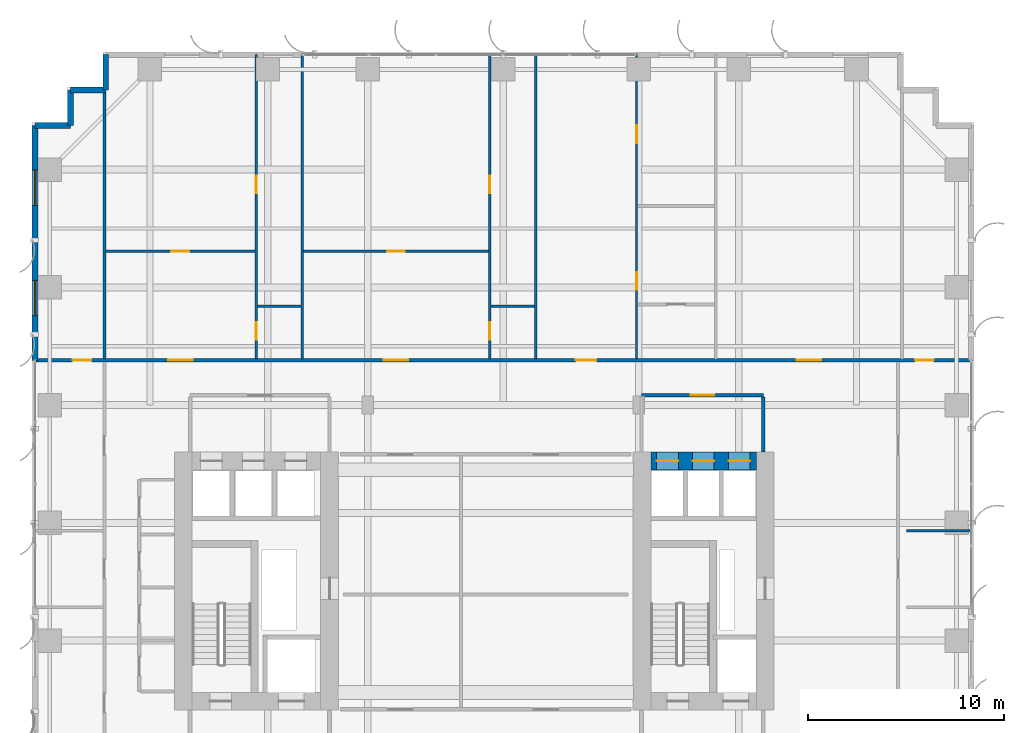
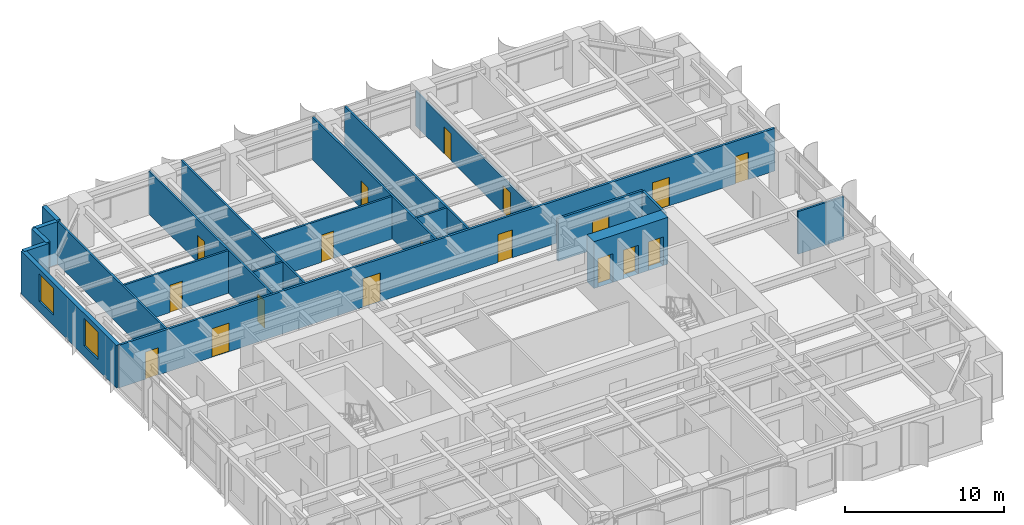
# One storey, part 18 of 23: 20 walls, 18 doors, 2 windows, 20 openings.
"""IFC4 building model written with IfcOpenShell, lengths in metres."""

from ifc_helpers import new_model, si_unit, direction, frame, frame_2d, origin, place, context, subcontext, project, spatial, rectangle, extrude, source, transform, mapped, material, layer, layer_set, type_object, element, fill, save


model = new_model("IFC4")

# Units and contexts
model_context = context("Model", 3, precision=1e-05, world=origin(), true_north=direction((0.0, 1.0)))
body_context = subcontext(model_context, "Body", "Model", "MODEL_VIEW")
ifc_project = project(units=[si_unit("LENGTHUNIT", "METRE"), si_unit("AREAUNIT", "SQUARE_METRE"), si_unit("VOLUMEUNIT", "CUBIC_METRE"), si_unit("PLANEANGLEUNIT", "RADIAN"), si_unit("MASSUNIT", "GRAM", prefix="KILO")], contexts=[model_context])

# Site, building, storey
site_placement = place(None, origin())
site = spatial("IfcSite", under=ifc_project, at=site_placement, CompositionType="ELEMENT")
building_placement = place(site_placement, origin())
building = spatial("IfcBuilding", under=site, at=building_placement, Name="Khoralis Quay Care Tower", CompositionType="ELEMENT")
storey_placement = place(building_placement, frame((0.0, 0.0, 72.89990234375)))
storey = spatial("IfcBuildingStorey", under=building, at=storey_placement, Name="L19", CompositionType="ELEMENT", Elevation=72.89990234375)

# Wall, openings, doors
ifc_material_1 = material(Name="Concrete C80/95", Category="concrete")
ifc_layer_1 = layer(ifc_material_1, 0.89990234375)
ifc_layer_set_1 = layer_set([ifc_layer_1], Name="Concrete C80/95")
wall_type_1 = type_object("IfcWallType", Name="WL-CORE-900", PredefinedType="SHEAR", material=ifc_layer_set_1)
wall_1_placement = place(storey_placement, frame((31.52001953125, 27.14990234375, 0.0), z_axis=(0.0, 0.0, 1.0), x_axis=(1.0, 0.0, 0.0)))
wall_1 = element("IfcWall", 1, at=wall_1_placement, inside=storey, type_object=wall_type_1, Name="L19 ECORE North Shear Wall", PredefinedType="SHEAR", context=body_context, shape_type="SweptSolid", body=[
    extrude(rectangle(XDim=5.3798828125, YDim=0.89990234375, at=frame_2d((2.68994140625, 0.0))), origin(), (0.0, 0.0, 1.0), 3.60009765625),
])
opening_1_placement = place(wall_1_placement, frame((0.300048828125, 0.0, 0.0)))
opening_1 = element("IfcOpeningElement", 2, at=opening_1_placement, cuts=wall_1, Name="Opening LD1", PredefinedType="OPENING", context=body_context, shape_type="SweptSolid", body=[
    extrude(rectangle(XDim=1.10009765625, YDim=2.199951171875, at=frame_2d((0.550048828125, 1.10009765625))), frame((0.0, 0.4599609375, 0.0), z_axis=(0.0, -1.0, 0.0), x_axis=(1.0, 0.0, 0.0)), (0.0, 0.0, 1.0), 0.919921875),
])
opening_2_placement = place(wall_1_placement, frame((2.1298828125, 0.0, 0.0)))
opening_2 = element("IfcOpeningElement", 3, at=opening_2_placement, cuts=wall_1, Name="Opening LD1", PredefinedType="OPENING", context=body_context, shape_type="SweptSolid", body=[
    extrude(rectangle(XDim=1.10009765625, YDim=2.199951171875, at=frame_2d((0.550048828125, 1.10009765625))), frame((0.0, 0.4599609375, 0.0), z_axis=(0.0, -1.0, 0.0), x_axis=(1.0, 0.0, 0.0)), (0.0, 0.0, 1.0), 0.919921875),
])
opening_3_placement = place(wall_1_placement, frame((3.9599609375, 0.0, 0.0)))
opening_3 = element("IfcOpeningElement", 4, at=opening_3_placement, cuts=wall_1, Name="Opening LD1", PredefinedType="OPENING", context=body_context, shape_type="SweptSolid", body=[
    extrude(rectangle(XDim=1.10009765625, YDim=2.199951171875, at=frame_2d((0.550048828125, 1.10009765625))), frame((0.0, 0.4599609375, 0.0), z_axis=(0.0, -1.0, 0.0), x_axis=(1.0, 0.0, 0.0)), (0.0, 0.0, 1.0), 0.919921875),
])
ifc_material_2 = material(Name="Brushed stainless steel", Category="steel")
door_type_1 = type_object("IfcDoorType", Name="DR-LIFT-1100X2200", OperationType="SLIDING_TO_LEFT", PredefinedType="DOOR", material=ifc_material_2)
shared_shape_1 = source(origin(), body_context, "Body", "SweptSolid", [
    extrude(rectangle(XDim=1.10009765625, YDim=2.199951171875, at=frame_2d((0.550048828125, 1.10009765625))), frame((0.0, 0.02490234375, 0.0), z_axis=(0.0, -1.0, 0.0), x_axis=(1.0, 0.0, 0.0)), (0.0, 0.0, 1.0), 0.050048828125),
])
door_1_placement = place(opening_1_placement, origin())
door_1 = element("IfcDoor", 5, at=door_1_placement, inside=storey, type_object=door_type_1, Name="L19 Lift PLL2 Landing Door", OperationType="SLIDING_TO_LEFT", OverallHeight=2.199951171875, OverallWidth=1.10009765625, PredefinedType="DOOR", context=body_context, shape_type="MappedRepresentation", body=[
    mapped(shared_shape_1, transform((0.0, 0.0, 0.0), scale=1.0)),
])
fill(opening_1, door_1)
door_2_placement = place(opening_2_placement, origin())
door_2 = element("IfcDoor", 6, at=door_2_placement, inside=storey, type_object=door_type_1, Name="L19 Lift PLM2 Landing Door", OperationType="SLIDING_TO_LEFT", OverallHeight=2.199951171875, OverallWidth=1.10009765625, PredefinedType="DOOR", context=body_context, shape_type="MappedRepresentation", body=[
    mapped(shared_shape_1, transform((0.0, 0.0, 0.0), scale=1.0)),
])
fill(opening_2, door_2)
door_3_placement = place(opening_3_placement, origin())
door_3 = element("IfcDoor", 7, at=door_3_placement, inside=storey, type_object=door_type_1, Name="L19 Lift PLH2 Landing Door", OperationType="SLIDING_TO_LEFT", OverallHeight=2.199951171875, OverallWidth=1.10009765625, PredefinedType="DOOR", context=body_context, shape_type="MappedRepresentation", body=[
    mapped(shared_shape_1, transform((0.0, 0.0, 0.0), scale=1.0)),
])
fill(opening_3, door_3)

# Wall, opening, door
ifc_material_3 = material(Name="Gypsum plasterboard on acoustic metal stud")
ifc_layer_2 = layer(ifc_material_3, 0.1650390625)
ifc_layer_set_2 = layer_set([ifc_layer_2], Name="Gypsum plasterboard on acoustic metal stud")
wall_type_2 = type_object("IfcWallType", Name="WL-CORR-165", PredefinedType="PARTITIONING", material=ifc_layer_set_2)
wall_2_placement = place(storey_placement, frame((31.050048828125, 30.5, 0.0), z_axis=(0.0, 0.0, 1.0), x_axis=(1.0, 0.0, 0.0)))
wall_2 = element("IfcWall", 8, at=wall_2_placement, inside=storey, type_object=wall_type_2, Name="L19 East Lift Lobby North Wall", PredefinedType="PARTITIONING", context=body_context, shape_type="SweptSolid", body=[
    extrude(rectangle(XDim=6.199951171875, YDim=0.1650390625, at=frame_2d((3.10009765625, 0.0))), origin(), (0.0, 0.0, 1.0), 3.280029296875),
])
opening_4_placement = place(wall_2_placement, frame((2.5, 0.0, 0.0)))
opening_4 = element("IfcOpeningElement", 9, at=opening_4_placement, cuts=wall_2, Name="Opening FD1", PredefinedType="OPENING", context=body_context, shape_type="SweptSolid", body=[
    extrude(rectangle(XDim=1.199951171875, YDim=2.199951171875, at=frame_2d((0.60009765625, 1.10009765625))), frame((0.0, 0.092529296875, 0.0), z_axis=(0.0, -1.0, 0.0), x_axis=(1.0, 0.0, 0.0)), (0.0, 0.0, 1.0), 0.18505859375),
])
ifc_material_4 = material(Name="Fire-rated painted steel", Category="steel")
door_type_2 = type_object("IfcDoorType", Name="DR-FFL-1200X2200", OperationType="NOTDEFINED", PredefinedType="DOOR", material=ifc_material_4)
shared_shape_2 = source(origin(), body_context, "Body", "SweptSolid", [
    extrude(rectangle(XDim=1.199951171875, YDim=2.199951171875, at=frame_2d((0.60009765625, 1.10009765625))), frame((0.0, 0.02490234375, 0.0), z_axis=(0.0, -1.0, 0.0), x_axis=(1.0, 0.0, 0.0)), (0.0, 0.0, 1.0), 0.050048828125),
])
door_4_placement = place(opening_4_placement, origin())
door_4 = element("IfcDoor", 10, at=door_4_placement, inside=storey, type_object=door_type_2, Name="L19 East Lift Lobby Double Door", OperationType="DOUBLE_DOOR_SINGLE_SWING", OverallHeight=2.199951171875, OverallWidth=1.199951171875, PredefinedType="DOOR", context=body_context, shape_type="MappedRepresentation", body=[
    mapped(shared_shape_2, transform((0.0, 0.0, 0.0), scale=1.0)),
])
fill(opening_4, door_4)

# Wall
wall_3_placement = place(storey_placement, frame((37.25, 27.6201171875, 0.0), z_axis=(0.0, 0.0, 1.0), x_axis=(0.0, 1.0, 0.0)))
element("IfcWall", 11, at=wall_3_placement, inside=storey, type_object=wall_type_2, Name="L19 East Lift Lobby East Wall", PredefinedType="PARTITIONING", context=body_context, shape_type="SweptSolid", body=[
    extrude(rectangle(XDim=2.802490234375, YDim=0.1650390625, at=frame_2d((1.4013671875, 0.0))), origin(), (0.0, 0.0, 1.0), 3.280029296875),
])

# Wall, openings, doors
wall_4_placement = place(storey_placement, frame((0.14501953125, 32.280029296875, 0.0), z_axis=(0.0, 0.0, 1.0), x_axis=(1.0, 0.0, 0.0)))
wall_4 = element("IfcWall", 12, at=wall_4_placement, inside=storey, type_object=wall_type_2, Name="L19 North Main Corridor Wall", PredefinedType="PARTITIONING", context=body_context, shape_type="SweptSolid", body=[
    extrude(rectangle(XDim=47.7099609375, YDim=0.1650390625, at=frame_2d((23.85498046875, 0.0))), origin(), (0.0, 0.0, 1.0), 3.280029296875),
])
opening_5_placement = place(wall_4_placement, frame((6.77490234375, 0.0, 0.0)))
opening_5 = element("IfcOpeningElement", 13, at=opening_5_placement, cuts=wall_4, Name="Opening CD1", PredefinedType="OPENING", context=body_context, shape_type="SweptSolid", body=[
    extrude(rectangle(XDim=1.25, YDim=2.199951171875, at=frame_2d((0.625, 1.10009765625))), frame((0.0, 0.092529296875, 0.0), z_axis=(0.0, -1.0, 0.0), x_axis=(1.0, 0.0, 0.0)), (0.0, 0.0, 1.0), 0.18505859375),
])
opening_6_placement = place(wall_4_placement, frame((17.764892578125, 0.0, 0.0)))
opening_6 = element("IfcOpeningElement", 14, at=opening_6_placement, cuts=wall_4, Name="Opening CD1", PredefinedType="OPENING", context=body_context, shape_type="SweptSolid", body=[
    extrude(rectangle(XDim=1.25, YDim=2.199951171875, at=frame_2d((0.625, 1.10009765625))), frame((0.0, 0.092529296875, 0.0), z_axis=(0.0, -1.0, 0.0), x_axis=(1.0, 0.0, 0.0)), (0.0, 0.0, 1.0), 0.18505859375),
])
opening_7_placement = place(wall_4_placement, frame((27.5576171875, 0.0, 0.0)))
opening_7 = element("IfcOpeningElement", 15, at=opening_7_placement, cuts=wall_4, Name="Opening UD1", PredefinedType="OPENING", context=body_context, shape_type="SweptSolid", body=[
    extrude(rectangle(XDim=1.050048828125, YDim=2.14990234375, at=frame_2d((0.52490234375, 1.074951171875))), frame((0.0, 0.092529296875, 0.0), z_axis=(0.0, -1.0, 0.0), x_axis=(1.0, 0.0, 0.0)), (0.0, 0.0, 1.0), 0.18505859375),
])
opening_8_placement = place(wall_4_placement, frame((38.804931640625, 0.0, 0.0)))
opening_8 = element("IfcOpeningElement", 16, at=opening_8_placement, cuts=wall_4, Name="Opening CD1", PredefinedType="OPENING", context=body_context, shape_type="SweptSolid", body=[
    extrude(rectangle(XDim=1.25, YDim=2.199951171875, at=frame_2d((0.625, 1.10009765625))), frame((0.0, 0.092529296875, 0.0), z_axis=(0.0, -1.0, 0.0), x_axis=(1.0, 0.0, 0.0)), (0.0, 0.0, 1.0), 0.18505859375),
])
opening_9_placement = place(wall_4_placement, frame((1.919921875, 0.0, 0.0)))
opening_9 = element("IfcOpeningElement", 17, at=opening_9_placement, cuts=wall_4, Name="Opening ID1", PredefinedType="OPENING", context=body_context, shape_type="SweptSolid", body=[
    extrude(rectangle(XDim=0.949951171875, YDim=2.10009765625, at=frame_2d((0.47509765625, 1.050048828125))), frame((0.0, 0.092529296875, 0.0), z_axis=(0.0, -1.0, 0.0), x_axis=(1.0, 0.0, 0.0)), (0.0, 0.0, 1.0), 0.18505859375),
])
opening_10_placement = place(wall_4_placement, frame((44.840087890625, 0.0, 0.0)))
opening_10 = element("IfcOpeningElement", 18, at=opening_10_placement, cuts=wall_4, Name="Opening ID1", PredefinedType="OPENING", context=body_context, shape_type="SweptSolid", body=[
    extrude(rectangle(XDim=0.949951171875, YDim=2.10009765625, at=frame_2d((0.47509765625, 1.050048828125))), frame((0.0, 0.092529296875, 0.0), z_axis=(0.0, -1.0, 0.0), x_axis=(1.0, 0.0, 0.0)), (0.0, 0.0, 1.0), 0.18505859375),
])
ifc_material_5 = material(Name="Acoustic hardwood timber", Category="wood")
door_type_3 = type_object("IfcDoorType", Name="DR-CARE-1250X2200", OperationType="NOTDEFINED", PredefinedType="DOOR", material=ifc_material_5)
shared_shape_3 = source(origin(), body_context, "Body", "SweptSolid", [
    extrude(rectangle(XDim=1.25, YDim=2.199951171875, at=frame_2d((0.625, 1.10009765625))), frame((0.0, 0.02490234375, 0.0), z_axis=(0.0, -1.0, 0.0), x_axis=(1.0, 0.0, 0.0)), (0.0, 0.0, 1.0), 0.050048828125),
])
door_5_placement = place(opening_5_placement, origin())
door_5 = element("IfcDoor", 19, at=door_5_placement, inside=storey, type_object=door_type_3, Name="L19 Care Suite NB0 Clinical Door", OperationType="SINGLE_SWING_LEFT", OverallHeight=2.199951171875, OverallWidth=1.25, PredefinedType="DOOR", context=body_context, shape_type="MappedRepresentation", body=[
    mapped(shared_shape_3, transform((0.0, 0.0, 0.0), scale=1.0)),
])
fill(opening_5, door_5)
door_6_placement = place(opening_6_placement, origin())
door_6 = element("IfcDoor", 20, at=door_6_placement, inside=storey, type_object=door_type_3, Name="L19 Care Suite NB1 Clinical Door", OperationType="SINGLE_SWING_RIGHT", OverallHeight=2.199951171875, OverallWidth=1.25, PredefinedType="DOOR", context=body_context, shape_type="MappedRepresentation", body=[
    mapped(shared_shape_3, transform((0.0, 0.0, 0.0), scale=1.0)),
])
fill(opening_6, door_6)
door_7_placement = place(opening_8_placement, origin())
door_7 = element("IfcDoor", 21, at=door_7_placement, inside=storey, type_object=door_type_3, Name="L19 Physiotherapy Treatment Clinic Door", OperationType="SINGLE_SWING_RIGHT", OverallHeight=2.199951171875, OverallWidth=1.25, PredefinedType="DOOR", context=body_context, shape_type="MappedRepresentation", body=[
    mapped(shared_shape_3, transform((0.0, 0.0, 0.0), scale=1.0)),
])
fill(opening_8, door_7)
door_type_4 = type_object("IfcDoorType", Name="DR-ROOM-950X2100", OperationType="NOTDEFINED", PredefinedType="DOOR", material=ifc_material_5)
shared_shape_4 = source(origin(), body_context, "Body", "SweptSolid", [
    extrude(rectangle(XDim=0.949951171875, YDim=2.10009765625, at=frame_2d((0.47509765625, 1.050048828125))), frame((0.0, 0.02490234375, 0.0), z_axis=(0.0, -1.0, 0.0), x_axis=(1.0, 0.0, 0.0)), (0.0, 0.0, 1.0), 0.050048828125),
])
door_8_placement = place(opening_9_placement, origin())
door_8 = element("IfcDoor", 22, at=door_8_placement, inside=storey, type_object=door_type_4, Name="L19 NW Corner Door", OperationType="SINGLE_SWING_RIGHT", OverallHeight=2.10009765625, OverallWidth=0.949951171875, PredefinedType="DOOR", context=body_context, shape_type="MappedRepresentation", body=[
    mapped(shared_shape_4, transform((0.0, 0.0, 0.0), scale=1.0)),
])
fill(opening_9, door_8)
door_9_placement = place(opening_10_placement, origin())
door_9 = element("IfcDoor", 23, at=door_9_placement, inside=storey, type_object=door_type_4, Name="L19 NE Corner Door", OperationType="SINGLE_SWING_LEFT", OverallHeight=2.10009765625, OverallWidth=0.949951171875, PredefinedType="DOOR", context=body_context, shape_type="MappedRepresentation", body=[
    mapped(shared_shape_4, transform((0.0, 0.0, 0.0), scale=1.0)),
])
fill(opening_10, door_9)
door_type_5 = type_object("IfcDoorType", Name="DR-SUITE-1050X2150", OperationType="NOTDEFINED", PredefinedType="DOOR", material=ifc_material_5)
shared_shape_5 = source(origin(), body_context, "Body", "SweptSolid", [
    extrude(rectangle(XDim=1.050048828125, YDim=2.14990234375, at=frame_2d((0.52490234375, 1.074951171875))), frame((0.0, 0.02490234375, 0.0), z_axis=(0.0, -1.0, 0.0), x_axis=(1.0, 0.0, 0.0)), (0.0, 0.0, 1.0), 0.050048828125),
])
door_10_placement = place(opening_7_placement, origin())
door_10 = element("IfcDoor", 24, at=door_10_placement, inside=storey, type_object=door_type_5, Name="L19 Studio NB2 Entrance", OperationType="SINGLE_SWING_LEFT", OverallHeight=2.14990234375, OverallWidth=1.050048828125, PredefinedType="DOOR", context=body_context, shape_type="MappedRepresentation", body=[
    mapped(shared_shape_5, transform((0.0, 0.0, 0.0), scale=1.0)),
])
fill(opening_7, door_10)

# Walls
ifc_material_6 = material(Name="Precast concrete C45/55", Category="concrete")
ifc_layer_3 = layer(ifc_material_6, 0.300048828125)
ifc_layer_set_3 = layer_set([ifc_layer_3], Name="Precast concrete C45/55")
wall_type_3 = type_object("IfcWallType", Name="WL-EXT-REF-300", PredefinedType="SOLIDWALL", material=ifc_layer_set_3)
for number, where, z_axis, x_axis, name in (
    (25, (3.75, 47.85009765625, 0.0), (0.0, 0.0, 1.0), (0.0, -1.0, 0.0), "L19 External Facade Wall WL-EXT-L19-P1-C11"),
    (26, (3.75, 46.050048828125, 0.0), (0.0, 0.0, 1.0), (-1.0, 0.0, 0.0), "L19 External Facade Wall WL-EXT-L19-P1-C12"),
    (27, (1.949951171875, 46.050048828125, 0.0), (0.0, 0.0, 1.0), (0.0, -1.0, 0.0), "L19 External Facade Wall WL-EXT-L19-P1-C13"),
    (28, (1.949951171875, 44.25, 0.0), (0.0, 0.0, 1.0), (-1.0, 0.0, 0.0), "L19 External Facade Wall WL-EXT-L19-P1-C14"),
):
    element("IfcWall", number, at=place(storey_placement, frame(where, z_axis=z_axis, x_axis=x_axis)), inside=storey, type_object=wall_type_3, Name=name, PredefinedType="SOLIDWALL", context=body_context, shape_type="SweptSolid", body=[
        extrude(rectangle(XDim=1.800048828125, YDim=0.300048828125, at=frame_2d((0.89990234375, 0.0))), origin(), (0.0, 0.0, 1.0), 3.280029296875),
    ])

# Wall, openings, windows
wall_5_placement = place(storey_placement, frame((0.14990234375, 44.25, 0.0), z_axis=(0.0, 0.0, 1.0), x_axis=(0.0, -1.0, 0.0)))
wall_5 = element("IfcWall", 29, at=wall_5_placement, inside=storey, type_object=wall_type_3, Name="L19 External Facade Wall WL-EXT-L19-P1-E15A", PredefinedType="SOLIDWALL", context=body_context, shape_type="SweptSolid", body=[
    extrude(rectangle(XDim=11.969970703125, YDim=0.300048828125, at=frame_2d((5.98486328125, 0.0))), origin(), (0.0, 0.0, 1.0), 3.280029296875),
])
opening_11_placement = place(wall_5_placement, frame((2.2724609375, 0.0, 0.800048828125)))
opening_11 = element("IfcOpeningElement", 30, at=opening_11_placement, cuts=wall_5, Name="Opening W2", PredefinedType="OPENING", context=body_context, shape_type="SweptSolid", body=[
    extrude(rectangle(XDim=1.800048828125, YDim=2.10009765625, at=frame_2d((0.89990234375, 1.050048828125))), frame((0.0, 0.16015625, 0.0), z_axis=(0.0, -1.0, 0.0), x_axis=(1.0, 0.0, 0.0)), (0.0, 0.0, 1.0), 0.320068359375),
])
opening_12_placement = place(wall_5_placement, frame((7.8974609375, 0.0, 0.800048828125)))
opening_12 = element("IfcOpeningElement", 31, at=opening_12_placement, cuts=wall_5, Name="Opening W2", PredefinedType="OPENING", context=body_context, shape_type="SweptSolid", body=[
    extrude(rectangle(XDim=1.800048828125, YDim=2.10009765625, at=frame_2d((0.89990234375, 1.050048828125))), frame((0.0, 0.16015625, 0.0), z_axis=(0.0, -1.0, 0.0), x_axis=(1.0, 0.0, 0.0)), (0.0, 0.0, 1.0), 0.320068359375),
])
ifc_material_7 = material(Name="Low-E solar-control double glazing", Category="glass")
window_type = type_object("IfcWindowType", Name="WN-POD-1800X2100", PartitioningType="SINGLE_PANEL", PredefinedType="WINDOW", material=ifc_material_7)
shared_shape_6 = source(origin(), body_context, "Body", "SweptSolid", [
    extrude(rectangle(XDim=1.800048828125, YDim=2.10009765625, at=frame_2d((0.89990234375, 1.050048828125))), frame((0.0, 0.030029296875, 0.0), z_axis=(0.0, -1.0, 0.0), x_axis=(1.0, 0.0, 0.0)), (0.0, 0.0, 1.0), 0.06005859375),
])
window_1_placement = place(opening_11_placement, origin())
window_1 = element("IfcWindow", 32, at=window_1_placement, inside=storey, type_object=window_type, Name="WN-L19-P1-E15A Facade Window 01", OverallHeight=2.10009765625, OverallWidth=1.800048828125, PartitioningType="SINGLE_PANEL", PredefinedType="WINDOW", context=body_context, shape_type="MappedRepresentation", body=[
    mapped(shared_shape_6, transform((0.0, 0.0, 0.0), scale=1.0)),
])
fill(opening_11, window_1)
window_2_placement = place(opening_12_placement, origin())
window_2 = element("IfcWindow", 33, at=window_2_placement, inside=storey, type_object=window_type, Name="WN-L19-P1-E15A Facade Window 02", OverallHeight=2.10009765625, OverallWidth=1.800048828125, PartitioningType="SINGLE_PANEL", PredefinedType="WINDOW", context=body_context, shape_type="MappedRepresentation", body=[
    mapped(shared_shape_6, transform((0.0, 0.0, 0.0), scale=1.0)),
])
fill(opening_12, window_2)

# Wall, openings, doors
ifc_layer_4 = layer(ifc_material_3, 0.114990234375)
ifc_layer_set_4 = layer_set([ifc_layer_4], Name="Gypsum plasterboard on acoustic metal stud")
wall_type_4 = type_object("IfcWallType", Name="WL-PART-115", PredefinedType="PARTITIONING", material=ifc_layer_set_4)
wall_6_placement = place(storey_placement, frame((30.794921875, 32.357421875, 0.0), z_axis=(0.0, 0.0, 1.0), x_axis=(0.0, 1.0, 0.0)))
wall_6 = element("IfcWall", 34, at=wall_6_placement, inside=storey, type_object=wall_type_4, Name="L19 Studio 2 Internal Wall", PredefinedType="PARTITIONING", context=body_context, shape_type="SweptSolid", body=[
    extrude(rectangle(XDim=15.49755859375, YDim=0.114990234375, at=frame_2d((7.748779296875, 0.0))), origin(), (0.0, 0.0, 1.0), 2.6640625),
])
opening_13_placement = place(wall_6_placement, frame((10.987548828125, 0.0, 0.0)))
opening_13 = element("IfcOpeningElement", 35, at=opening_13_placement, cuts=wall_6, Name="Opening WD1", PredefinedType="OPENING", context=body_context, shape_type="SweptSolid", body=[
    extrude(rectangle(XDim=0.89990234375, YDim=2.10009765625, at=frame_2d((0.449951171875, 1.050048828125))), frame((0.0, 0.0673828125, 0.0), z_axis=(0.0, -1.0, 0.0), x_axis=(1.0, 0.0, 0.0)), (0.0, 0.0, 1.0), 0.135009765625),
])
opening_14_placement = place(wall_6_placement, frame((3.517578125, 0.0, 0.0)))
opening_14 = element("IfcOpeningElement", 36, at=opening_14_placement, cuts=wall_6, Name="Opening WD1", PredefinedType="OPENING", context=body_context, shape_type="SweptSolid", body=[
    extrude(rectangle(XDim=0.89990234375, YDim=2.10009765625, at=frame_2d((0.449951171875, 1.050048828125))), frame((0.0, 0.0673828125, 0.0), z_axis=(0.0, -1.0, 0.0), x_axis=(1.0, 0.0, 0.0)), (0.0, 0.0, 1.0), 0.135009765625),
])
door_type_6 = type_object("IfcDoorType", Name="DR-BATH-900X2100", OperationType="NOTDEFINED", PredefinedType="DOOR", material=ifc_material_5)
shared_shape_7 = source(origin(), body_context, "Body", "SweptSolid", [
    extrude(rectangle(XDim=0.89990234375, YDim=2.10009765625, at=frame_2d((0.449951171875, 1.050048828125))), frame((0.0, 0.02490234375, 0.0), z_axis=(0.0, -1.0, 0.0), x_axis=(1.0, 0.0, 0.0)), (0.0, 0.0, 1.0), 0.050048828125),
])
door_11_placement = place(opening_13_placement, frame((0.89990234375, 0.0, 0.0), z_axis=(0.0, 0.0, 1.0), x_axis=(-1.0, 0.0, 0.0)))
door_11 = element("IfcDoor", 37, at=door_11_placement, inside=storey, type_object=door_type_6, Name="L19 Studio SKT Door", OperationType="SINGLE_SWING_RIGHT", OverallHeight=2.10009765625, OverallWidth=0.89990234375, PredefinedType="DOOR", context=body_context, shape_type="MappedRepresentation", body=[
    mapped(shared_shape_7, transform((0.0, 0.0, 0.0), scale=1.0)),
])
fill(opening_13, door_11)
door_12_placement = place(opening_14_placement, frame((0.89990234375, 0.0, 0.0), z_axis=(0.0, 0.0, 1.0), x_axis=(-1.0, 0.0, 0.0)))
door_12 = element("IfcDoor", 38, at=door_12_placement, inside=storey, type_object=door_type_6, Name="L19 Studio SBH Door", OperationType="SINGLE_SWING_LEFT", OverallHeight=2.10009765625, OverallWidth=0.89990234375, PredefinedType="DOOR", context=body_context, shape_type="MappedRepresentation", body=[
    mapped(shared_shape_7, transform((0.0, 0.0, 0.0), scale=1.0)),
])
fill(opening_14, door_12)

ifc_material_8 = material(Name="Moisture-resistant gypsum and ceramic tile")
ifc_layer_5 = layer(ifc_material_8, 0.280029296875)
ifc_layer_set_5 = layer_set([ifc_layer_5], Name="Moisture-resistant gypsum and ceramic tile")
wall_type_5 = type_object("IfcWallType", Name="WL-PLUMB-280", PredefinedType="PLUMBINGWALL", material=ifc_layer_set_5)
wall_7_placement = place(storey_placement, frame((11.409912109375, 32.357421875, 0.0), z_axis=(0.0, 0.0, 1.0), x_axis=(0.0, 1.0, 0.0)))
wall_7 = element("IfcWall", 39, at=wall_7_placement, inside=storey, type_object=wall_type_5, Name="L19 Care Suite 0 En-Suite Wall V", PredefinedType="PLUMBINGWALL", context=body_context, shape_type="SweptSolid", body=[
    extrude(rectangle(XDim=15.49755859375, YDim=0.139892578125, at=frame_2d((7.748779296875, 0.0))), origin(), (0.0, 0.0, 1.0), 3.280029296875),
])
opening_15_placement = place(wall_7_placement, frame((0.96240234375, 0.0, 0.0)))
opening_15 = element("IfcOpeningElement", 40, at=opening_15_placement, cuts=wall_7, Name="Opening WD1", PredefinedType="OPENING", context=body_context, shape_type="SweptSolid", body=[
    extrude(rectangle(XDim=0.89990234375, YDim=2.10009765625, at=frame_2d((0.449951171875, 1.050048828125))), frame((0.0, 0.080078125, 0.0), z_axis=(0.0, -1.0, 0.0), x_axis=(1.0, 0.0, 0.0)), (0.0, 0.0, 1.0), 0.159912109375),
])
opening_16_placement = place(wall_7_placement, frame((8.4326171875, 0.0, 0.0)))
opening_16 = element("IfcOpeningElement", 41, at=opening_16_placement, cuts=wall_7, Name="Opening WD1", PredefinedType="OPENING", context=body_context, shape_type="SweptSolid", body=[
    extrude(rectangle(XDim=0.89990234375, YDim=2.10009765625, at=frame_2d((0.449951171875, 1.050048828125))), frame((0.0, 0.080078125, 0.0), z_axis=(0.0, -1.0, 0.0), x_axis=(1.0, 0.0, 0.0)), (0.0, 0.0, 1.0), 0.159912109375),
])
door_13_placement = place(opening_15_placement, frame((0.89990234375, 0.0, 0.0), z_axis=(0.0, 0.0, 1.0), x_axis=(-1.0, 0.0, 0.0)))
door_13 = element("IfcDoor", 42, at=door_13_placement, inside=storey, type_object=door_type_6, Name="L19 Care CENS Door", OperationType="SINGLE_SWING_RIGHT", OverallHeight=2.10009765625, OverallWidth=0.89990234375, PredefinedType="DOOR", context=body_context, shape_type="MappedRepresentation", body=[
    mapped(shared_shape_7, transform((0.0, 0.0, 0.0), scale=1.0)),
])
fill(opening_15, door_13)
door_14_placement = place(opening_16_placement, frame((0.89990234375, 0.0, 0.0), z_axis=(0.0, 0.0, 1.0), x_axis=(-1.0, 0.0, 0.0)))
door_14 = element("IfcDoor", 43, at=door_14_placement, inside=storey, type_object=door_type_6, Name="L19 Care CSIT Door", OperationType="SINGLE_SWING_LEFT", OverallHeight=2.10009765625, OverallWidth=0.89990234375, PredefinedType="DOOR", context=body_context, shape_type="MappedRepresentation", body=[
    mapped(shared_shape_7, transform((0.0, 0.0, 0.0), scale=1.0)),
])
fill(opening_16, door_14)

# Wall
wall_8_placement = place(storey_placement, frame((11.47509765625, 35.030029296875, 0.0), z_axis=(0.0, 0.0, 1.0), x_axis=(1.0, 0.0, 0.0)))
element("IfcWall", 44, at=wall_8_placement, inside=storey, type_object=wall_type_5, Name="L19 Care Suite 0 En-Suite Wall H", PredefinedType="PLUMBINGWALL", context=body_context, shape_type="SweptSolid", body=[
    extrude(rectangle(XDim=2.219970703125, YDim=0.139892578125, at=frame_2d((1.10986328125, 0.0))), origin(), (0.0, 0.0, 1.0), 3.280029296875),
])

# Wall, openings, doors
wall_9_placement = place(storey_placement, frame((23.31005859375, 32.357421875, 0.0), z_axis=(0.0, 0.0, 1.0), x_axis=(0.0, 1.0, 0.0)))
wall_9 = element("IfcWall", 45, at=wall_9_placement, inside=storey, type_object=wall_type_5, Name="L19 Care Suite 1 En-Suite Wall V", PredefinedType="PLUMBINGWALL", context=body_context, shape_type="SweptSolid", body=[
    extrude(rectangle(XDim=15.49755859375, YDim=0.139892578125, at=frame_2d((7.748779296875, 0.0))), origin(), (0.0, 0.0, 1.0), 3.280029296875),
])
opening_17_placement = place(wall_9_placement, frame((0.96240234375, 0.0, 0.0)))
opening_17 = element("IfcOpeningElement", 46, at=opening_17_placement, cuts=wall_9, Name="Opening WD1", PredefinedType="OPENING", context=body_context, shape_type="SweptSolid", body=[
    extrude(rectangle(XDim=0.89990234375, YDim=2.10009765625, at=frame_2d((0.449951171875, 1.050048828125))), frame((0.0, 0.080078125, 0.0), z_axis=(0.0, -1.0, 0.0), x_axis=(1.0, 0.0, 0.0)), (0.0, 0.0, 1.0), 0.159912109375),
])
opening_18_placement = place(wall_9_placement, frame((8.4326171875, 0.0, 0.0)))
opening_18 = element("IfcOpeningElement", 47, at=opening_18_placement, cuts=wall_9, Name="Opening WD1", PredefinedType="OPENING", context=body_context, shape_type="SweptSolid", body=[
    extrude(rectangle(XDim=0.89990234375, YDim=2.10009765625, at=frame_2d((0.449951171875, 1.050048828125))), frame((0.0, 0.080078125, 0.0), z_axis=(0.0, -1.0, 0.0), x_axis=(1.0, 0.0, 0.0)), (0.0, 0.0, 1.0), 0.159912109375),
])
door_15_placement = place(opening_17_placement, frame((0.89990234375, 0.0, 0.0), z_axis=(0.0, 0.0, 1.0), x_axis=(-1.0, 0.0, 0.0)))
door_15 = element("IfcDoor", 48, at=door_15_placement, inside=storey, type_object=door_type_6, Name="L19 Care CENS Door", OperationType="SINGLE_SWING_LEFT", OverallHeight=2.10009765625, OverallWidth=0.89990234375, PredefinedType="DOOR", context=body_context, shape_type="MappedRepresentation", body=[
    mapped(shared_shape_7, transform((0.0, 0.0, 0.0), scale=1.0)),
])
fill(opening_17, door_15)
door_16_placement = place(opening_18_placement, frame((0.89990234375, 0.0, 0.0), z_axis=(0.0, 0.0, 1.0), x_axis=(-1.0, 0.0, 0.0)))
door_16 = element("IfcDoor", 49, at=door_16_placement, inside=storey, type_object=door_type_6, Name="L19 Care CSIT Door", OperationType="SINGLE_SWING_RIGHT", OverallHeight=2.10009765625, OverallWidth=0.89990234375, PredefinedType="DOOR", context=body_context, shape_type="MappedRepresentation", body=[
    mapped(shared_shape_7, transform((0.0, 0.0, 0.0), scale=1.0)),
])
fill(opening_18, door_16)

# Walls
wall_10_placement = place(storey_placement, frame((23.375, 35.030029296875, 0.0), z_axis=(0.0, 0.0, 1.0), x_axis=(1.0, 0.0, 0.0)))
element("IfcWall", 50, at=wall_10_placement, inside=storey, type_object=wall_type_5, Name="L19 Care Suite 1 En-Suite Wall H", PredefinedType="PLUMBINGWALL", context=body_context, shape_type="SweptSolid", body=[
    extrude(rectangle(XDim=2.219970703125, YDim=0.139892578125, at=frame_2d((1.10986328125, 0.0))), origin(), (0.0, 0.0, 1.0), 3.280029296875),
])
ifc_layer_6 = layer(ifc_material_3, 0.139892578125)
ifc_layer_set_6 = layer_set([ifc_layer_6], Name="Gypsum plasterboard on acoustic metal stud")
wall_type_6 = type_object("IfcWallType", Name="WL-UNIT-140", PredefinedType="PARTITIONING", material=ifc_layer_set_6)
wall_11_placement = place(storey_placement, frame((44.5400390625, 23.60009765625, 0.0), z_axis=(0.0, 0.0, 1.0), x_axis=(1.0, 0.0, 0.0)))
element("IfcWall", 51, at=wall_11_placement, inside=storey, type_object=wall_type_6, Name="L19 EE Divider 2", PredefinedType="PARTITIONING", context=body_context, shape_type="SweptSolid", body=[
    extrude(rectangle(XDim=3.31494140625, YDim=0.139892578125, at=frame_2d((1.657470703125, 0.0))), origin(), (0.0, 0.0, 1.0), 3.280029296875),
])
wall_12_placement = place(storey_placement, frame((3.679931640625, 32.357421875, 0.0), z_axis=(0.0, 0.0, 1.0), x_axis=(0.0, 1.0, 0.0)))
element("IfcWall", 52, at=wall_12_placement, inside=storey, type_object=wall_type_6, Name="L19 NB Demising Wall 0", PredefinedType="PARTITIONING", context=body_context, shape_type="SweptSolid", body=[
    extrude(rectangle(XDim=13.697509765625, YDim=0.139892578125, at=frame_2d((6.8486328125, 0.0))), origin(), (0.0, 0.0, 1.0), 3.280029296875),
])
for number, where, z_axis, x_axis, name in (
    (53, (13.760009765625, 32.357421875, 0.0), (0.0, 0.0, 1.0), (0.0, 1.0, 0.0), "L19 NB Demising Wall 1"),
    (54, (25.659912109375, 32.357421875, 0.0), (0.0, 0.0, 1.0), (0.0, 1.0, 0.0), "L19 NB Demising Wall 2"),
):
    element("IfcWall", number, at=place(storey_placement, frame(where, z_axis=z_axis, x_axis=x_axis)), inside=storey, type_object=wall_type_6, Name=name, PredefinedType="PARTITIONING", context=body_context, shape_type="SweptSolid", body=[
        extrude(rectangle(XDim=15.49755859375, YDim=0.139892578125, at=frame_2d((7.748779296875, 0.0))), origin(), (0.0, 0.0, 1.0), 3.280029296875),
    ])

# Wall, opening, door
wall_13_placement = place(storey_placement, frame((3.7451171875, 37.840087890625, 0.0), z_axis=(0.0, 0.0, 1.0), x_axis=(1.0, 0.0, 0.0)))
wall_13 = element("IfcWall", 55, at=wall_13_placement, inside=storey, type_object=wall_type_6, Name="Skilled Care Bedroom L19-NB0 Sub-Partition", PredefinedType="PARTITIONING", context=body_context, shape_type="SweptSolid", body=[
    extrude(rectangle(XDim=7.599853515625, YDim=0.139892578125, at=frame_2d((3.7998046875, 0.0))), origin(), (0.0, 0.0, 1.0), 3.280029296875),
])
opening_19_placement = place(wall_13_placement, frame((3.35009765625, 0.0, 0.0)))
opening_19 = element("IfcOpeningElement", 56, at=opening_19_placement, cuts=wall_13, Name="Opening WD1", PredefinedType="OPENING", context=body_context, shape_type="SweptSolid", body=[
    extrude(rectangle(XDim=0.89990234375, YDim=2.10009765625, at=frame_2d((0.449951171875, 1.050048828125))), frame((0.0, 0.080078125, 0.0), z_axis=(0.0, -1.0, 0.0), x_axis=(1.0, 0.0, 0.0)), (0.0, 0.0, 1.0), 0.159912109375),
])
door_17_placement = place(opening_19_placement, frame((0.89990234375, 0.0, 0.0), z_axis=(0.0, 0.0, 1.0), x_axis=(-1.0, 0.0, 0.0)))
door_17 = element("IfcDoor", 57, at=door_17_placement, inside=storey, type_object=door_type_6, Name="Private Study & Reading Alcove ARE0 Door", OperationType="SINGLE_SWING_LEFT", OverallHeight=2.10009765625, OverallWidth=0.89990234375, PredefinedType="DOOR", context=body_context, shape_type="MappedRepresentation", body=[
    mapped(shared_shape_7, transform((0.0, 0.0, 0.0), scale=1.0)),
])
fill(opening_19, door_17)

wall_14_placement = place(storey_placement, frame((13.824951171875, 37.840087890625, 0.0), z_axis=(0.0, 0.0, 1.0), x_axis=(1.0, 0.0, 0.0)))
wall_14 = element("IfcWall", 58, at=wall_14_placement, inside=storey, type_object=wall_type_6, Name="Skilled Care Bedroom L19-NB1 Sub-Partition", PredefinedType="PARTITIONING", context=body_context, shape_type="SweptSolid", body=[
    extrude(rectangle(XDim=9.420166015625, YDim=0.139892578125, at=frame_2d((4.7099609375, 0.0))), origin(), (0.0, 0.0, 1.0), 3.280029296875),
])
opening_20_placement = place(wall_14_placement, frame((4.260009765625, 0.0, 0.0)))
opening_20 = element("IfcOpeningElement", 59, at=opening_20_placement, cuts=wall_14, Name="Opening WD1", PredefinedType="OPENING", context=body_context, shape_type="SweptSolid", body=[
    extrude(rectangle(XDim=0.89990234375, YDim=2.10009765625, at=frame_2d((0.449951171875, 1.050048828125))), frame((0.0, 0.080078125, 0.0), z_axis=(0.0, -1.0, 0.0), x_axis=(1.0, 0.0, 0.0)), (0.0, 0.0, 1.0), 0.159912109375),
])
door_18_placement = place(opening_20_placement, frame((0.89990234375, 0.0, 0.0), z_axis=(0.0, 0.0, 1.0), x_axis=(-1.0, 0.0, 0.0)))
door_18 = element("IfcDoor", 60, at=door_18_placement, inside=storey, type_object=door_type_6, Name="Private Study & Reading Alcove ARE1 Door", OperationType="SINGLE_SWING_LEFT", OverallHeight=2.10009765625, OverallWidth=0.89990234375, PredefinedType="DOOR", context=body_context, shape_type="MappedRepresentation", body=[
    mapped(shared_shape_7, transform((0.0, 0.0, 0.0), scale=1.0)),
])
fill(opening_20, door_18)

save(model, "model.ifc")
